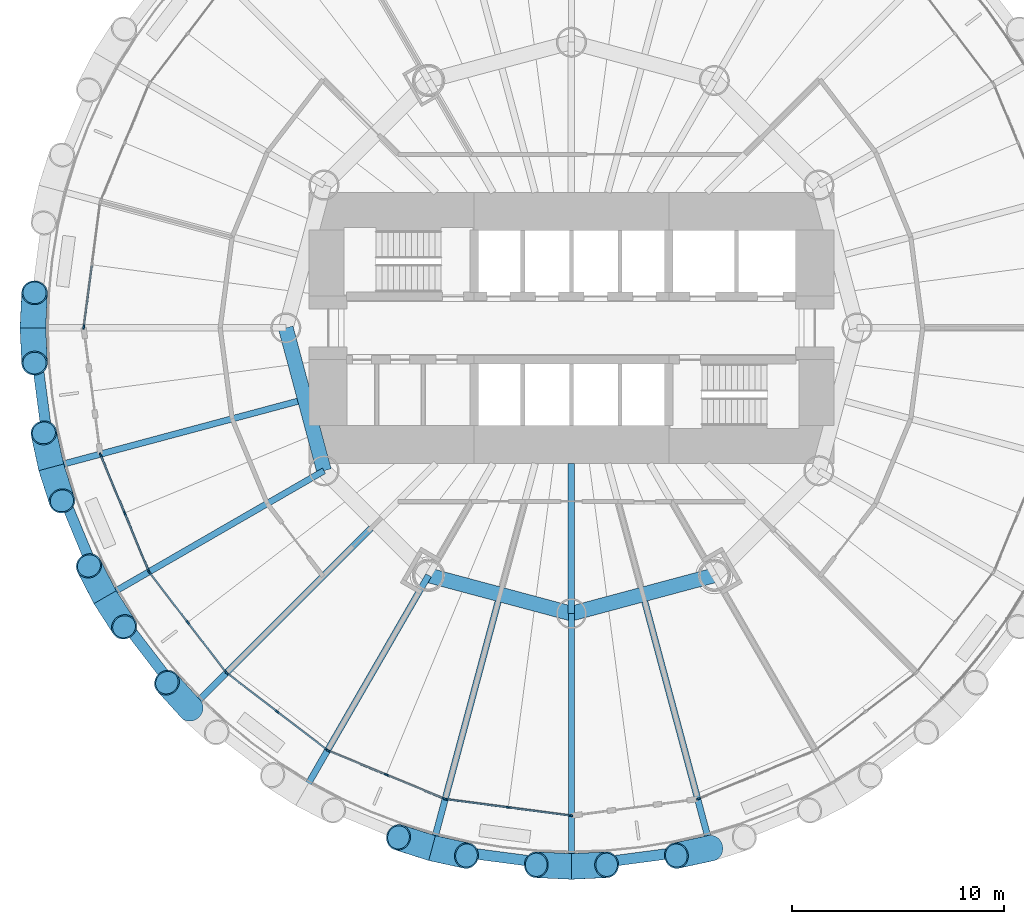
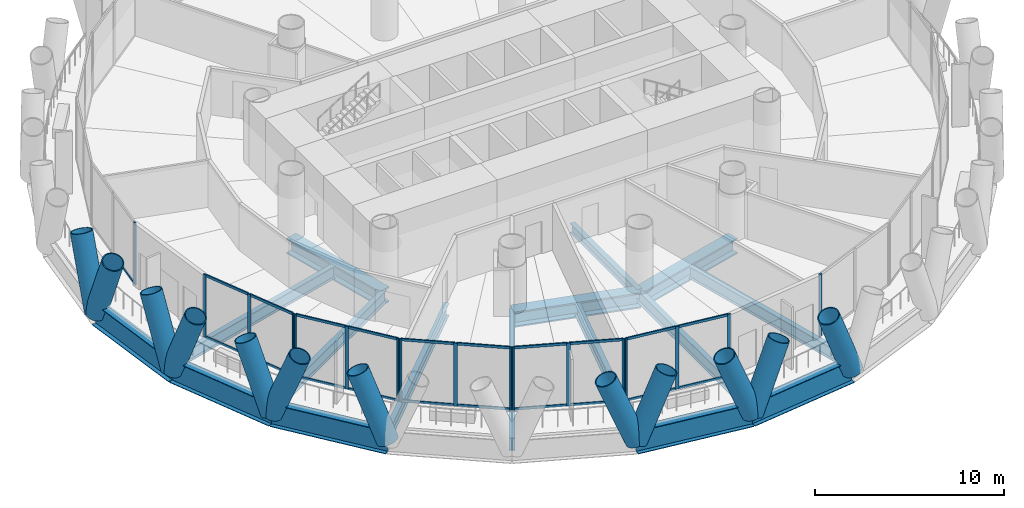
# One storey, part 2 of 14: 50 members, 16 beams, 7 elements without a shape of their own.
"""IFC4 building model written with IfcOpenShell, lengths in metres."""

from ifc_helpers import new_model, si_unit, direction, frame, origin, origin_2d, place, context, subcontext, project, spatial, rectangle, hollow_circle, i_section, extrude, material, material_profile, profile_set, type_object, element, aggregate, save


model = new_model("IFC4")

# Units and contexts
model_context = context("Model", 3, precision=1e-05, world=origin(), true_north=direction((0.0, 1.0)))
body_context = subcontext(model_context, "Body", "Model", "MODEL_VIEW")
ifc_project = project(units=[si_unit("LENGTHUNIT", "METRE"), si_unit("AREAUNIT", "SQUARE_METRE"), si_unit("VOLUMEUNIT", "CUBIC_METRE"), si_unit("PLANEANGLEUNIT", "RADIAN"), si_unit("MASSUNIT", "GRAM", prefix="KILO")], contexts=[model_context])

# Site, building, storey
site_placement = place(None, origin())
site = spatial("IfcSite", under=ifc_project, at=site_placement, CompositionType="ELEMENT")
building_placement = place(site_placement, origin())
building = spatial("IfcBuilding", under=site, at=building_placement, Name="Qaws Media Tower", CompositionType="ELEMENT")
storey_placement = place(building_placement, frame((0.0, 0.0, 93.199951171875)))
storey = spatial("IfcBuildingStorey", under=building, at=storey_placement, Name="L20", CompositionType="ELEMENT", Elevation=93.199951171875)

# Curtain wall, member
ifc_material_1 = material(Name="Aluminium and clear glass", Category="aluminium")
curtain_wall_type = type_object("IfcCurtainWallType", Name="Unitised curtain wall CW-A", PredefinedType="NOTDEFINED", material=ifc_material_1)
curtain_wall_1_placement = place(storey_placement, origin())
curtain_wall_1 = element("IfcCurtainWall", 1, at=curtain_wall_1_placement, inside=storey, type_object=curtain_wall_type, Name="CWA curtain wall L20-12", PredefinedType="NOTDEFINED")
ifc_material_2 = material(Name="Aluminium mullion", Category="aluminium")
ifc_material_profile_1 = material_profile(ifc_material_2, rectangle(XDim=0.080078125, YDim=0.199951171875, at=origin_2d()), Name="80x200")
ifc_profile_set_1 = profile_set([ifc_material_profile_1], Name="Aluminium mullion")
member_type_1 = type_object("IfcMemberType", Name="Curtain wall mullion 80x200", PredefinedType="MULLION", material=ifc_profile_set_1)
member_1_placement = place(storey_placement, frame((36.955322265625, 50.03955078125, 0.0), z_axis=(0.0, 0.0, 1.0), x_axis=(0.991444855038, -0.130526240342, 0.0)))
member_1 = element("IfcMember", 2, at=member_1_placement, type_object=member_type_1, Name="CWA mullion 3", PredefinedType="MULLION", context=body_context, shape_type="SweptSolid", body=[
    extrude(rectangle(XDim=0.080078125, YDim=0.199951171875, at=origin_2d()), origin(), (0.0, 0.0, 1.0), 4.0400390625),
])

# Curtain wall, members
curtain_wall_2_placement = place(storey_placement, origin())
curtain_wall_2 = element("IfcCurtainWall", 3, at=curtain_wall_2_placement, inside=storey, type_object=curtain_wall_type, Name="CWA curtain wall L20-14", PredefinedType="NOTDEFINED")
member_2_placement = place(storey_placement, frame((37.750732421875, 43.997314453125, 0.0), z_axis=(0.0, 0.0, 1.0), x_axis=(0.923879575665, 0.382683328183, 0.0)))
member_2 = element("IfcMember", 4, at=member_2_placement, type_object=member_type_1, Name="CWA mullion 1", PredefinedType="MULLION", context=body_context, shape_type="SweptSolid", body=[
    extrude(rectangle(XDim=0.080078125, YDim=0.199951171875, at=origin_2d()), origin(), (0.0, 0.0, 1.0), 4.0400390625),
])
member_3_placement = place(storey_placement, frame((38.88671875, 41.254638671875, 0.0), z_axis=(0.0, 0.0, 1.0), x_axis=(0.923879575665, 0.382683328183, 0.0)))
member_3 = element("IfcMember", 5, at=member_3_placement, type_object=member_type_1, Name="CWA mullion 2", PredefinedType="MULLION", context=body_context, shape_type="SweptSolid", body=[
    extrude(rectangle(XDim=0.080078125, YDim=0.199951171875, at=origin_2d()), origin(), (0.0, 0.0, 1.0), 4.0400390625),
])
member_4_placement = place(storey_placement, frame((40.022705078125, 38.511962890625, 0.0), z_axis=(0.0, 0.0, 1.0), x_axis=(0.923879575665, 0.382683328183, 0.0)))
member_4 = element("IfcMember", 6, at=member_4_placement, type_object=member_type_1, Name="CWA mullion 3", PredefinedType="MULLION", context=body_context, shape_type="SweptSolid", body=[
    extrude(rectangle(XDim=0.080078125, YDim=0.199951171875, at=origin_2d()), origin(), (0.0, 0.0, 1.0), 4.0400390625),
])

curtain_wall_3_placement = place(storey_placement, origin())
curtain_wall_3 = element("IfcCurtainWall", 7, at=curtain_wall_3_placement, inside=storey, type_object=curtain_wall_type, Name="CWA curtain wall L20-15", PredefinedType="NOTDEFINED")
member_5_placement = place(storey_placement, frame((40.0625, 38.443359375, 0.0), z_axis=(0.0, 0.0, 1.0), x_axis=(0.793353261295, 0.608761531958, 0.0)))
member_5 = element("IfcMember", 8, at=member_5_placement, type_object=member_type_1, Name="CWA mullion 1", PredefinedType="MULLION", context=body_context, shape_type="SweptSolid", body=[
    extrude(rectangle(XDim=0.080078125, YDim=0.199951171875, at=origin_2d()), origin(), (0.0, 0.0, 1.0), 4.0400390625),
])
member_6_placement = place(storey_placement, frame((41.86962890625, 36.088134765625, 0.0), z_axis=(0.0, 0.0, 1.0), x_axis=(0.793353261295, 0.608761531958, 0.0)))
member_6 = element("IfcMember", 9, at=member_6_placement, type_object=member_type_1, Name="CWA mullion 2", PredefinedType="MULLION", context=body_context, shape_type="SweptSolid", body=[
    extrude(rectangle(XDim=0.080078125, YDim=0.199951171875, at=origin_2d()), origin(), (0.0, 0.0, 1.0), 4.0400390625),
])
member_7_placement = place(storey_placement, frame((43.6767578125, 33.73291015625, 0.0), z_axis=(0.0, 0.0, 1.0), x_axis=(0.793353261295, 0.608761531958, 0.0)))
member_7 = element("IfcMember", 10, at=member_7_placement, type_object=member_type_1, Name="CWA mullion 3", PredefinedType="MULLION", context=body_context, shape_type="SweptSolid", body=[
    extrude(rectangle(XDim=0.080078125, YDim=0.199951171875, at=origin_2d()), origin(), (0.0, 0.0, 1.0), 4.0400390625),
])

curtain_wall_4_placement = place(storey_placement, origin())
curtain_wall_4 = element("IfcCurtainWall", 11, at=curtain_wall_4_placement, inside=storey, type_object=curtain_wall_type, Name="CWA curtain wall L20-16", PredefinedType="NOTDEFINED")
member_8_placement = place(storey_placement, frame((43.73291015625, 33.6767578125, 0.0), z_axis=(0.0, 0.0, 1.0), x_axis=(0.608761531958, 0.793353261295, 0.0)))
member_8 = element("IfcMember", 12, at=member_8_placement, type_object=member_type_1, Name="CWA mullion 1", PredefinedType="MULLION", context=body_context, shape_type="SweptSolid", body=[
    extrude(rectangle(XDim=0.080078125, YDim=0.199951171875, at=origin_2d()), origin(), (0.0, 0.0, 1.0), 4.0400390625),
])
member_9_placement = place(storey_placement, frame((46.088134765625, 31.86962890625, 0.0), z_axis=(0.0, 0.0, 1.0), x_axis=(0.608761531958, 0.793353261295, 0.0)))
member_9 = element("IfcMember", 13, at=member_9_placement, type_object=member_type_1, Name="CWA mullion 2", PredefinedType="MULLION", context=body_context, shape_type="SweptSolid", body=[
    extrude(rectangle(XDim=0.080078125, YDim=0.199951171875, at=origin_2d()), origin(), (0.0, 0.0, 1.0), 4.0400390625),
])
member_10_placement = place(storey_placement, frame((48.443359375, 30.0625, 0.0), z_axis=(0.0, 0.0, 1.0), x_axis=(0.608761531958, 0.793353261295, 0.0)))
member_10 = element("IfcMember", 14, at=member_10_placement, type_object=member_type_1, Name="CWA mullion 3", PredefinedType="MULLION", context=body_context, shape_type="SweptSolid", body=[
    extrude(rectangle(XDim=0.080078125, YDim=0.199951171875, at=origin_2d()), origin(), (0.0, 0.0, 1.0), 4.0400390625),
])

curtain_wall_5_placement = place(storey_placement, origin())
curtain_wall_5 = element("IfcCurtainWall", 15, at=curtain_wall_5_placement, inside=storey, type_object=curtain_wall_type, Name="CWA curtain wall L20-17", PredefinedType="NOTDEFINED")
member_11_placement = place(storey_placement, frame((48.511962890625, 30.022705078125, 0.0), z_axis=(0.0, 0.0, 1.0), x_axis=(0.382683328183, 0.923879575665, 0.0)))
member_11 = element("IfcMember", 16, at=member_11_placement, type_object=member_type_1, Name="CWA mullion 1", PredefinedType="MULLION", context=body_context, shape_type="SweptSolid", body=[
    extrude(rectangle(XDim=0.080078125, YDim=0.199951171875, at=origin_2d()), origin(), (0.0, 0.0, 1.0), 4.0400390625),
])
member_12_placement = place(storey_placement, frame((51.254638671875, 28.88671875, 0.0), z_axis=(0.0, 0.0, 1.0), x_axis=(0.382683328183, 0.923879575665, 0.0)))
member_12 = element("IfcMember", 17, at=member_12_placement, type_object=member_type_1, Name="CWA mullion 2", PredefinedType="MULLION", context=body_context, shape_type="SweptSolid", body=[
    extrude(rectangle(XDim=0.080078125, YDim=0.199951171875, at=origin_2d()), origin(), (0.0, 0.0, 1.0), 4.0400390625),
])
member_13_placement = place(storey_placement, frame((53.997314453125, 27.750732421875, 0.0), z_axis=(0.0, 0.0, 1.0), x_axis=(0.382683328183, 0.923879575665, 0.0)))
member_13 = element("IfcMember", 18, at=member_13_placement, type_object=member_type_1, Name="CWA mullion 3", PredefinedType="MULLION", context=body_context, shape_type="SweptSolid", body=[
    extrude(rectangle(XDim=0.080078125, YDim=0.199951171875, at=origin_2d()), origin(), (0.0, 0.0, 1.0), 4.0400390625),
])

curtain_wall_6_placement = place(storey_placement, origin())
curtain_wall_6 = element("IfcCurtainWall", 19, at=curtain_wall_6_placement, inside=storey, type_object=curtain_wall_type, Name="CWA curtain wall L20-18", PredefinedType="NOTDEFINED")
member_14_placement = place(storey_placement, frame((54.073974609375, 27.730224609375, 0.0), z_axis=(0.0, 0.0, 1.0), x_axis=(0.130526240342, 0.991444855038, 0.0)))
member_14 = element("IfcMember", 20, at=member_14_placement, type_object=member_type_1, Name="CWA mullion 1", PredefinedType="MULLION", context=body_context, shape_type="SweptSolid", body=[
    extrude(rectangle(XDim=0.080078125, YDim=0.199951171875, at=origin_2d()), origin(), (0.0, 0.0, 1.0), 4.0400390625),
])
member_15_placement = place(storey_placement, frame((57.01708984375, 27.3427734375, 0.0), z_axis=(0.0, 0.0, 1.0), x_axis=(0.130526240342, 0.991444855038, 0.0)))
member_15 = element("IfcMember", 21, at=member_15_placement, type_object=member_type_1, Name="CWA mullion 2", PredefinedType="MULLION", context=body_context, shape_type="SweptSolid", body=[
    extrude(rectangle(XDim=0.080078125, YDim=0.199951171875, at=origin_2d()), origin(), (0.0, 0.0, 1.0), 4.0400390625),
])
member_16_placement = place(storey_placement, frame((59.96044921875, 26.955322265625, 0.0), z_axis=(0.0, 0.0, 1.0), x_axis=(0.130526240342, 0.991444855038, 0.0)))
member_16 = element("IfcMember", 22, at=member_16_placement, type_object=member_type_1, Name="CWA mullion 3", PredefinedType="MULLION", context=body_context, shape_type="SweptSolid", body=[
    extrude(rectangle(XDim=0.080078125, YDim=0.199951171875, at=origin_2d()), origin(), (0.0, 0.0, 1.0), 4.0400390625),
])

# Curtain wall, member
curtain_wall_7_placement = place(storey_placement, origin())
curtain_wall_7 = element("IfcCurtainWall", 23, at=curtain_wall_7_placement, inside=storey, type_object=curtain_wall_type, Name="CWA curtain wall L20-20", PredefinedType="NOTDEFINED")
member_17_placement = place(storey_placement, frame((66.002685546875, 27.750732421875, 0.0), z_axis=(0.0, 0.0, 1.0), x_axis=(-0.382683328183, 0.923879575665, 0.0)))
member_17 = element("IfcMember", 24, at=member_17_placement, type_object=member_type_1, Name="CWA mullion 1", PredefinedType="MULLION", context=body_context, shape_type="SweptSolid", body=[
    extrude(rectangle(XDim=0.080078125, YDim=0.199951171875, at=origin_2d()), origin(), (0.0, 0.0, 1.0), 4.0400390625),
])
aggregate(curtain_wall_7, [member_17])

# Member
ifc_material_3 = material(Name="Aluminium transom", Category="aluminium")
ifc_material_profile_2 = material_profile(ifc_material_3, rectangle(XDim=0.080078125, YDim=0.159912109375, at=origin_2d()), Name="80x160")
ifc_profile_set_2 = profile_set([ifc_material_profile_2], Name="Aluminium transom")
member_type_2 = type_object("IfcMemberType", Name="Curtain wall transom 80x160", PredefinedType="USERDEFINED", material=ifc_profile_set_2)
member_18_placement = place(storey_placement, frame((37.33740234375, 52.943115234375, 0.0400390625), z_axis=(-0.130502613671, -0.991447965263, 0.0), x_axis=(0.991447965263, -0.130502613671, 0.0)))
member_18 = element("IfcMember", 25, at=member_18_placement, type_object=member_type_2, Name="CWA transom 2.1", ObjectType="TRANSOM", PredefinedType="USERDEFINED", context=body_context, shape_type="SweptSolid", body=[
    extrude(rectangle(XDim=0.080078125, YDim=0.159912109375, at=origin_2d()), origin(), (0.0, 0.0, 1.0), 2.888427734375),
])

aggregate(curtain_wall_1, [member_1, member_18])

member_19_placement = place(storey_placement, frame((37.76611328125, 43.960205078125, 0.0400390625), z_axis=(0.382627993016, -0.923902494293, 0.0), x_axis=(0.923902494293, 0.382627993016, 0.0)))
member_19 = element("IfcMember", 26, at=member_19_placement, type_object=member_type_2, Name="CWA transom 1.1", ObjectType="TRANSOM", PredefinedType="USERDEFINED", context=body_context, shape_type="SweptSolid", body=[
    extrude(rectangle(XDim=0.080078125, YDim=0.159912109375, at=origin_2d()), origin(), (0.0, 0.0, 1.0), 2.888427734375),
])

member_20_placement = place(storey_placement, frame((37.76611328125, 43.960205078125, 4.0), z_axis=(0.382627993016, -0.923902494293, 0.0), x_axis=(0.923902494293, 0.382627993016, 0.0)))
member_20 = element("IfcMember", 27, at=member_20_placement, type_object=member_type_2, Name="CWA transom 1.2", ObjectType="TRANSOM", PredefinedType="USERDEFINED", context=body_context, shape_type="SweptSolid", body=[
    extrude(rectangle(XDim=0.080078125, YDim=0.159912109375, at=origin_2d()), origin(), (0.0, 0.0, 1.0), 2.888427734375),
])

member_21_placement = place(storey_placement, frame((38.902099609375, 41.2177734375, 0.0400390625), z_axis=(0.382670255779, -0.923884990322, 0.0), x_axis=(0.923884990322, 0.382670255779, 0.0)))
member_21 = element("IfcMember", 28, at=member_21_placement, type_object=member_type_2, Name="CWA transom 2.1", ObjectType="TRANSOM", PredefinedType="USERDEFINED", context=body_context, shape_type="SweptSolid", body=[
    extrude(rectangle(XDim=0.080078125, YDim=0.159912109375, at=origin_2d()), origin(), (0.0, 0.0, 1.0), 2.888916015625),
])

member_22_placement = place(storey_placement, frame((38.902099609375, 41.2177734375, 4.0), z_axis=(0.382670255779, -0.923884990322, 0.0), x_axis=(0.923884990322, 0.382670255779, 0.0)))
member_22 = element("IfcMember", 29, at=member_22_placement, type_object=member_type_2, Name="CWA transom 2.2", ObjectType="TRANSOM", PredefinedType="USERDEFINED", context=body_context, shape_type="SweptSolid", body=[
    extrude(rectangle(XDim=0.080078125, YDim=0.159912109375, at=origin_2d()), origin(), (0.0, 0.0, 1.0), 2.888916015625),
])

aggregate(curtain_wall_2, [member_2, member_3, member_4, member_19, member_20, member_21, member_22])

member_23_placement = place(storey_placement, frame((40.0869140625, 38.41162109375, 0.0400390625), z_axis=(0.608713633127, -0.793390013074, 0.0), x_axis=(0.793390013074, 0.608713633127, 0.0)))
member_23 = element("IfcMember", 30, at=member_23_placement, type_object=member_type_2, Name="CWA transom 1.1", ObjectType="TRANSOM", PredefinedType="USERDEFINED", context=body_context, shape_type="SweptSolid", body=[
    extrude(rectangle(XDim=0.080078125, YDim=0.159912109375, at=origin_2d()), origin(), (0.0, 0.0, 1.0), 2.888671875),
])

member_24_placement = place(storey_placement, frame((40.0869140625, 38.41162109375, 4.0), z_axis=(0.608713633127, -0.793390013074, 0.0), x_axis=(0.793390013074, 0.608713633127, 0.0)))
member_24 = element("IfcMember", 31, at=member_24_placement, type_object=member_type_2, Name="CWA transom 1.2", ObjectType="TRANSOM", PredefinedType="USERDEFINED", context=body_context, shape_type="SweptSolid", body=[
    extrude(rectangle(XDim=0.080078125, YDim=0.159912109375, at=origin_2d()), origin(), (0.0, 0.0, 1.0), 2.888671875),
])

member_25_placement = place(storey_placement, frame((41.89404296875, 36.056396484375, 0.0400390625), z_axis=(0.608766831684, -0.793349194644, 0.0), x_axis=(0.793349194644, 0.608766831684, 0.0)))
member_25 = element("IfcMember", 32, at=member_25_placement, type_object=member_type_2, Name="CWA transom 2.1", ObjectType="TRANSOM", PredefinedType="USERDEFINED", context=body_context, shape_type="SweptSolid", body=[
    extrude(rectangle(XDim=0.080078125, YDim=0.159912109375, at=origin_2d()), origin(), (0.0, 0.0, 1.0), 2.888671875),
])

member_26_placement = place(storey_placement, frame((41.89404296875, 36.056396484375, 4.0), z_axis=(0.608766831684, -0.793349194644, 0.0), x_axis=(0.793349194644, 0.608766831684, 0.0)))
member_26 = element("IfcMember", 33, at=member_26_placement, type_object=member_type_2, Name="CWA transom 2.2", ObjectType="TRANSOM", PredefinedType="USERDEFINED", context=body_context, shape_type="SweptSolid", body=[
    extrude(rectangle(XDim=0.080078125, YDim=0.159912109375, at=origin_2d()), origin(), (0.0, 0.0, 1.0), 2.888671875),
])

aggregate(curtain_wall_3, [member_5, member_6, member_7, member_23, member_24, member_25, member_26])

member_27_placement = place(storey_placement, frame((43.7646484375, 33.652587890625, 0.0400390625), z_axis=(0.793349194644, -0.608766831684, 0.0), x_axis=(0.608766831684, 0.793349194644, 0.0)))
member_27 = element("IfcMember", 34, at=member_27_placement, type_object=member_type_2, Name="CWA transom 1.1", ObjectType="TRANSOM", PredefinedType="USERDEFINED", context=body_context, shape_type="SweptSolid", body=[
    extrude(rectangle(XDim=0.080078125, YDim=0.159912109375, at=origin_2d()), origin(), (0.0, 0.0, 1.0), 2.888671875),
])

member_28_placement = place(storey_placement, frame((43.7646484375, 33.652587890625, 4.0), z_axis=(0.793349194644, -0.608766831684, 0.0), x_axis=(0.608766831684, 0.793349194644, 0.0)))
member_28 = element("IfcMember", 35, at=member_28_placement, type_object=member_type_2, Name="CWA transom 1.2", ObjectType="TRANSOM", PredefinedType="USERDEFINED", context=body_context, shape_type="SweptSolid", body=[
    extrude(rectangle(XDim=0.080078125, YDim=0.159912109375, at=origin_2d()), origin(), (0.0, 0.0, 1.0), 2.888671875),
])

member_29_placement = place(storey_placement, frame((46.119873046875, 31.84521484375, 0.0400390625), z_axis=(0.793390013074, -0.608713633127, 0.0), x_axis=(0.608713633127, 0.793390013074, 0.0)))
member_29 = element("IfcMember", 36, at=member_29_placement, type_object=member_type_2, Name="CWA transom 2.1", ObjectType="TRANSOM", PredefinedType="USERDEFINED", context=body_context, shape_type="SweptSolid", body=[
    extrude(rectangle(XDim=0.080078125, YDim=0.159912109375, at=origin_2d()), origin(), (0.0, 0.0, 1.0), 2.888671875),
])

member_30_placement = place(storey_placement, frame((46.119873046875, 31.84521484375, 4.0), z_axis=(0.793390013074, -0.608713633127, 0.0), x_axis=(0.608713633127, 0.793390013074, 0.0)))
member_30 = element("IfcMember", 37, at=member_30_placement, type_object=member_type_2, Name="CWA transom 2.2", ObjectType="TRANSOM", PredefinedType="USERDEFINED", context=body_context, shape_type="SweptSolid", body=[
    extrude(rectangle(XDim=0.080078125, YDim=0.159912109375, at=origin_2d()), origin(), (0.0, 0.0, 1.0), 2.888671875),
])

aggregate(curtain_wall_4, [member_8, member_9, member_10, member_27, member_28, member_29, member_30])

member_31_placement = place(storey_placement, frame((48.548828125, 30.007568359375, 0.0400390625), z_axis=(0.923884990322, -0.382670255779, 0.0), x_axis=(0.382670255779, 0.923884990322, 0.0)))
member_31 = element("IfcMember", 38, at=member_31_placement, type_object=member_type_2, Name="CWA transom 1.1", ObjectType="TRANSOM", PredefinedType="USERDEFINED", context=body_context, shape_type="SweptSolid", body=[
    extrude(rectangle(XDim=0.080078125, YDim=0.159912109375, at=origin_2d()), origin(), (0.0, 0.0, 1.0), 2.888916015625),
])

member_32_placement = place(storey_placement, frame((48.548828125, 30.007568359375, 4.0), z_axis=(0.923884990322, -0.382670255779, 0.0), x_axis=(0.382670255779, 0.923884990322, 0.0)))
member_32 = element("IfcMember", 39, at=member_32_placement, type_object=member_type_2, Name="CWA transom 1.2", ObjectType="TRANSOM", PredefinedType="USERDEFINED", context=body_context, shape_type="SweptSolid", body=[
    extrude(rectangle(XDim=0.080078125, YDim=0.159912109375, at=origin_2d()), origin(), (0.0, 0.0, 1.0), 2.888916015625),
])

member_33_placement = place(storey_placement, frame((51.29150390625, 28.871337890625, 0.0400390625), z_axis=(0.923902494293, -0.382627993016, 0.0), x_axis=(0.382627993016, 0.923902494293, 0.0)))
member_33 = element("IfcMember", 40, at=member_33_placement, type_object=member_type_2, Name="CWA transom 2.1", ObjectType="TRANSOM", PredefinedType="USERDEFINED", context=body_context, shape_type="SweptSolid", body=[
    extrude(rectangle(XDim=0.080078125, YDim=0.159912109375, at=origin_2d()), origin(), (0.0, 0.0, 1.0), 2.888427734375),
])

member_34_placement = place(storey_placement, frame((51.29150390625, 28.871337890625, 4.0), z_axis=(0.923902494293, -0.382627993016, 0.0), x_axis=(0.382627993016, 0.923902494293, 0.0)))
member_34 = element("IfcMember", 41, at=member_34_placement, type_object=member_type_2, Name="CWA transom 2.2", ObjectType="TRANSOM", PredefinedType="USERDEFINED", context=body_context, shape_type="SweptSolid", body=[
    extrude(rectangle(XDim=0.080078125, YDim=0.159912109375, at=origin_2d()), origin(), (0.0, 0.0, 1.0), 2.888427734375),
])

aggregate(curtain_wall_5, [member_11, member_12, member_13, member_31, member_32, member_33, member_34])

member_35_placement = place(storey_placement, frame((54.113525390625, 27.724853515625, 0.0400390625), z_axis=(0.991449404578, -0.130491678516, 0.0), x_axis=(0.130491678516, 0.991449404578, 0.0)))
member_35 = element("IfcMember", 42, at=member_35_placement, type_object=member_type_2, Name="CWA transom 1.1", ObjectType="TRANSOM", PredefinedType="USERDEFINED", context=body_context, shape_type="SweptSolid", body=[
    extrude(rectangle(XDim=0.080078125, YDim=0.159912109375, at=origin_2d()), origin(), (0.0, 0.0, 1.0), 2.888671875),
])

member_36_placement = place(storey_placement, frame((54.113525390625, 27.724853515625, 4.0), z_axis=(0.991449404578, -0.130491678516, 0.0), x_axis=(0.130491678516, 0.991449404578, 0.0)))
member_36 = element("IfcMember", 43, at=member_36_placement, type_object=member_type_2, Name="CWA transom 1.2", ObjectType="TRANSOM", PredefinedType="USERDEFINED", context=body_context, shape_type="SweptSolid", body=[
    extrude(rectangle(XDim=0.080078125, YDim=0.159912109375, at=origin_2d()), origin(), (0.0, 0.0, 1.0), 2.888671875),
])

member_37_placement = place(storey_placement, frame((57.056884765625, 27.33740234375, 0.0400390625), z_axis=(0.991447965263, -0.130502613671, 0.0), x_axis=(0.130502613671, 0.991447965263, 0.0)))
member_37 = element("IfcMember", 44, at=member_37_placement, type_object=member_type_2, Name="CWA transom 2.1", ObjectType="TRANSOM", PredefinedType="USERDEFINED", context=body_context, shape_type="SweptSolid", body=[
    extrude(rectangle(XDim=0.080078125, YDim=0.159912109375, at=origin_2d()), origin(), (0.0, 0.0, 1.0), 2.888427734375),
])

member_38_placement = place(storey_placement, frame((57.056884765625, 27.33740234375, 4.0), z_axis=(0.991447965263, -0.130502613671, 0.0), x_axis=(0.130502613671, 0.991447965263, 0.0)))
member_38 = element("IfcMember", 45, at=member_38_placement, type_object=member_type_2, Name="CWA transom 2.2", ObjectType="TRANSOM", PredefinedType="USERDEFINED", context=body_context, shape_type="SweptSolid", body=[
    extrude(rectangle(XDim=0.080078125, YDim=0.159912109375, at=origin_2d()), origin(), (0.0, 0.0, 1.0), 2.888427734375),
])

aggregate(curtain_wall_6, [member_14, member_15, member_16, member_35, member_36, member_37, member_38])

# Members
ifc_material_4 = material(Name="Steel S460", Category="steel")
ifc_material_profile_3 = material_profile(ifc_material_4, hollow_circle(Radius=0.609619140625, WallThickness=0.06005859375, at=origin_2d()), Name="CHS 1219x60")
ifc_profile_set_3 = profile_set([ifc_material_profile_3], Name="Steel S460")
member_type_3 = type_object("IfcMemberType", Name="Diagrid member CHS 1219x60", PredefinedType="USERDEFINED", material=ifc_profile_set_3)
for number, where, z_axis, x_axis, name in (
    (46, (34.550048828125, 50.0, -0.909912109375), (0.017562730337, -0.368060788684, 0.929635846091), (0.998863487797, 0.047662697627, 0.0), "DG1 diagrid L20 A13"),
    (47, (34.550048828125, 50.0, -0.909912109375), (0.017562730337, 0.368060788684, 0.929635846091), (-0.998863487797, 0.047662697627, 0.0), "DG1 diagrid L20 B13"),
    (48, (35.417236328125, 43.4130859375, -0.909912109375), (0.11223876536, -0.350982561874, 0.929630948716), (0.952483725005, 0.304589483732, 0.0), "DG1 diagrid L20 A14"),
    (49, (35.417236328125, 43.4130859375, -0.909912109375), (-0.078302777838, 0.360063084013, 0.929636084989), (-0.977160478007, -0.212502706383, 0.0), "DG1 diagrid L20 B14"),
    (50, (37.959716796875, 37.27490234375, -0.909912109375), (0.199242327969, -0.309968536271, 0.929635413088), (0.84120706378, 0.540713117879, 0.0), "DG1 diagrid L20 A15"),
    (51, (37.959716796875, 37.27490234375, -0.909912109375), (-0.168815441114, 0.327579770816, 0.929619729026), (-0.888905804262, -0.458090025159, 0.0), "DG1 diagrid L20 B15"),
    (52, (42.004150390625, 32.004150390625, -0.909912109375), (-0.247824298479, 0.272682383368, 0.929638335529), (-0.740032971445, -0.672570591963, 0.0), "DG1 diagrid L20 B16"),
    (53, (53.4130859375, 25.417236328125, -0.909912109375), (0.360063084013, -0.078302777838, 0.929636084989), (0.212502706383, 0.977160478007, 0.0), "DG1 diagrid L20 A18"),
    (54, (53.4130859375, 25.417236328125, -0.909912109375), (-0.350982561874, 0.11223876536, 0.929630948716), (-0.304589483732, -0.952483725005, 0.0), "DG1 diagrid L20 B18"),
    (55, (60.0, 24.550048828125, -0.909912109375), (0.368060788684, 0.017562730337, 0.929635846091), (-0.047662697627, 0.998863487797, 0.0), "DG1 diagrid L20 A19"),
    (56, (60.0, 24.550048828125, -0.909912109375), (-0.368060788684, 0.017562730337, 0.929635846091), (-0.047662697627, -0.998863487797, 0.0), "DG1 diagrid L20 B19"),
    (57, (66.5869140625, 25.417236328125, -0.909912109375), (-0.360063084013, -0.078302777838, 0.929636084989), (0.212502706383, -0.977160478007, 0.0), "DG1 diagrid L20 B20"),
):
    element("IfcMember", number, at=place(storey_placement, frame(where, z_axis=z_axis, x_axis=x_axis)), inside=storey, type_object=member_type_3, Name=name, ObjectType="DIAGRID", PredefinedType="USERDEFINED", context=body_context, shape_type="SweptSolid", body=[
        extrude(hollow_circle(Radius=0.609619140625, WallThickness=0.06005859375, at=origin_2d()), origin(), (0.0, 0.0, 1.0), 4.517822265625),
    ])

# Beams
ifc_material_5 = material(Name="Steel S460", Category="steel")
ifc_material_profile_4 = material_profile(ifc_material_5, i_section(OverallWidth=0.5, OverallDepth=1.5, WebThickness=0.02001953125, FlangeThickness=0.0400390625, at=origin_2d()), Name="PG 1500x500")
ifc_profile_set_4 = profile_set([ifc_material_profile_4], Name="Steel S460")
beam_type_1 = type_object("IfcBeamType", Name="Edge ring beam PG 1500x500", PredefinedType="BEAM", material=ifc_profile_set_4)
for number, where, z_axis, x_axis, name in (
    (58, (34.550048828125, 50.0, -0.909912109375), (0.130526756258, -0.991444787117, 0.0), (0.991444787117, 0.130526756258, 0.0), "RB4 edge ring beam L20-13"),
    (59, (35.417236328125, 43.4130859375, -0.909912109375), (0.382678495952, -0.923881577225, 0.0), (0.923881577225, 0.382678495952, 0.0), "RB4 edge ring beam L20-14"),
):
    element("IfcBeam", number, at=place(storey_placement, frame(where, z_axis=z_axis, x_axis=x_axis)), inside=storey, type_object=beam_type_1, Name=name, PredefinedType="BEAM", context=body_context, shape_type="SweptSolid", body=[
        extrude(i_section(OverallWidth=0.5, OverallDepth=1.5, WebThickness=0.02001953125, FlangeThickness=0.0400390625, at=origin_2d()), origin(), (0.0, 0.0, 1.0), 6.643798828125),
    ])
beam_1_placement = place(storey_placement, frame((37.959716796875, 37.27490234375, -0.909912109375), z_axis=(0.608765538102, -0.793350187256, 0.0), x_axis=(0.793350187256, 0.608765538102, 0.0)))
element("IfcBeam", 60, at=beam_1_placement, inside=storey, type_object=beam_type_1, Name="RB4 edge ring beam L20-15", PredefinedType="BEAM", context=body_context, shape_type="SweptSolid", body=[
    extrude(i_section(OverallWidth=0.5, OverallDepth=1.5, WebThickness=0.02001953125, FlangeThickness=0.0400390625, at=origin_2d()), origin(), (0.0, 0.0, 1.0), 6.6435546875),
])
for number, where, z_axis, x_axis, name in (
    (61, (53.4130859375, 25.417236328125, -0.909912109375), (0.991444787117, -0.130526756258, 0.0), (0.130526756258, 0.991444787117, 0.0), "RB4 edge ring beam L20-18"),
    (62, (60.0, 24.550048828125, -0.909912109375), (0.991444787117, 0.130526756258, 0.0), (-0.130526756258, 0.991444787117, 0.0), "RB4 edge ring beam L20-19"),
):
    element("IfcBeam", number, at=place(storey_placement, frame(where, z_axis=z_axis, x_axis=x_axis)), inside=storey, type_object=beam_type_1, Name=name, PredefinedType="BEAM", context=body_context, shape_type="SweptSolid", body=[
        extrude(i_section(OverallWidth=0.5, OverallDepth=1.5, WebThickness=0.02001953125, FlangeThickness=0.0400390625, at=origin_2d()), origin(), (0.0, 0.0, 1.0), 6.643798828125),
    ])
ifc_material_6 = material(Name="Steel S460", Category="steel")
ifc_material_profile_5 = material_profile(ifc_material_6, i_section(OverallWidth=0.699951171875, OverallDepth=1.0, WebThickness=0.034912109375, FlangeThickness=0.090087890625, at=origin_2d()), Name="PG 1000x700")
ifc_profile_set_5 = profile_set([ifc_material_profile_5], Name="Steel S460")
beam_type_2 = type_object("IfcBeamType", Name="Inner ring girder PG 1000x700", PredefinedType="BEAM", material=ifc_profile_set_5)
for number, where, z_axis, x_axis, name in (
    (63, (46.5, 50.0, -0.659912109375), (0.258810593767, -0.965928090778, 0.0), (0.965928090778, 0.258810593767, 0.0), "B3 inner ring beam L20 I07-I08"),
    (64, (53.25, 38.30859375, -0.659912109375), (0.965928090778, -0.258810593767, 0.0), (0.258810593767, 0.965928090778, 0.0), "B3 inner ring beam L20 I09-I10"),
    (65, (60.0, 36.5, -0.659912109375), (0.965928090778, 0.258810593767, 0.0), (-0.258810593767, 0.965928090778, 0.0), "B3 inner ring beam L20 I10-I11"),
):
    element("IfcBeam", number, at=place(storey_placement, frame(where, z_axis=z_axis, x_axis=x_axis)), inside=storey, type_object=beam_type_2, Name=name, PredefinedType="BEAM", context=body_context, shape_type="SweptSolid", body=[
        extrude(i_section(OverallWidth=0.699951171875, OverallDepth=1.0, WebThickness=0.034912109375, FlangeThickness=0.090087890625, at=origin_2d()), origin(), (0.0, 0.0, 1.0), 6.988037109375),
    ])
ifc_material_7 = material(Name="Steel S355", Category="steel")
ifc_material_profile_6 = material_profile(ifc_material_7, i_section(OverallWidth=0.304931640625, OverallDepth=0.6201171875, WebThickness=0.02099609375, FlangeThickness=0.0400390625, FilletRadius=0.027099609375, at=origin_2d()), Name="HE 600 M")
ifc_profile_set_6 = profile_set([ifc_material_profile_6], Name="Steel S355")
beam_type_3 = type_object("IfcBeamType", Name="Radial beam HE 600 M, core side", PredefinedType="BEAM", material=ifc_profile_set_6)
beam_2_placement = place(storey_placement, frame((60.0, 43.60009765625, -0.469970703125), z_axis=(0.0, -1.0, 0.0), x_axis=(1.0, 0.0, 0.0)))
element("IfcBeam", 66, at=beam_2_placement, inside=storey, type_object=beam_type_3, Name="B2 radial beam L20 19", PredefinedType="BEAM", context=body_context, shape_type="SweptSolid", body=[
    extrude(i_section(OverallWidth=0.304931640625, OverallDepth=0.6201171875, WebThickness=0.02099609375, FlangeThickness=0.0400390625, FilletRadius=0.027099609375, at=origin_2d()), origin(), (0.0, 0.0, 1.0), 7.10009765625),
])
ifc_material_8 = material(Name="Steel S355", Category="steel")
ifc_material_profile_7 = material_profile(ifc_material_8, i_section(OverallWidth=0.300048828125, OverallDepth=0.800048828125, WebThickness=0.017578125, FlangeThickness=0.032958984375, FilletRadius=0.030029296875, at=origin_2d()), Name="HE 800 B")
ifc_profile_set_7 = profile_set([ifc_material_profile_7], Name="Steel S355")
beam_type_4 = type_object("IfcBeamType", Name="Radial beam HE 800 B", PredefinedType="BEAM", material=ifc_profile_set_7)
beam_3_placement = place(storey_placement, frame((47.066162109375, 46.534423828125, -0.56005859375), z_axis=(-0.965925460719, -0.258820409425, 0.0), x_axis=(0.258820409425, -0.965925460719, 0.0)))
element("IfcBeam", 67, at=beam_3_placement, inside=storey, type_object=beam_type_4, Name="B1 radial beam L20 14", PredefinedType="BEAM", context=body_context, shape_type="SweptSolid", body=[
    extrude(i_section(OverallWidth=0.300048828125, OverallDepth=0.800048828125, WebThickness=0.017578125, FlangeThickness=0.032958984375, FilletRadius=0.030029296875, at=origin_2d()), origin(), (0.0, 0.0, 1.0), 12.059814453125),
])
beam_4_placement = place(storey_placement, frame((48.30859375, 43.25, -0.56005859375), z_axis=(-0.866019216078, -0.500010717269, 0.0), x_axis=(0.500010717269, -0.866019216078, 0.0)))
element("IfcBeam", 68, at=beam_4_placement, inside=storey, type_object=beam_type_4, Name="B1 radial beam L20 15", PredefinedType="BEAM", context=body_context, shape_type="SweptSolid", body=[
    extrude(i_section(OverallWidth=0.300048828125, OverallDepth=0.800048828125, WebThickness=0.017578125, FlangeThickness=0.032958984375, FilletRadius=0.030029296875, at=origin_2d()), origin(), (0.0, 0.0, 1.0), 11.949951171875),
])
beam_5_placement = place(storey_placement, frame((50.53173828125, 40.53173828125, -0.56005859375), z_axis=(-0.707106781187, -0.707106781187, 0.0), x_axis=(0.707106781187, -0.707106781187, 0.0)))
element("IfcBeam", 69, at=beam_5_placement, inside=storey, type_object=beam_type_4, Name="B1 radial beam L20 16", PredefinedType="BEAM", context=body_context, shape_type="SweptSolid", body=[
    extrude(i_section(OverallWidth=0.300048828125, OverallDepth=0.800048828125, WebThickness=0.017578125, FlangeThickness=0.032958984375, FilletRadius=0.030029296875, at=origin_2d()), origin(), (0.0, 0.0, 1.0), 12.059814453125),
])
beam_6_placement = place(storey_placement, frame((53.25, 38.30859375, -0.56005859375), z_axis=(-0.500010717269, -0.866019216078, 0.0), x_axis=(0.866019216078, -0.500010717269, 0.0)))
element("IfcBeam", 70, at=beam_6_placement, inside=storey, type_object=beam_type_4, Name="B1 radial beam L20 17", PredefinedType="BEAM", context=body_context, shape_type="SweptSolid", body=[
    extrude(i_section(OverallWidth=0.300048828125, OverallDepth=0.800048828125, WebThickness=0.017578125, FlangeThickness=0.032958984375, FilletRadius=0.030029296875, at=origin_2d()), origin(), (0.0, 0.0, 1.0), 11.949951171875),
])
beam_7_placement = place(storey_placement, frame((56.534423828125, 37.066162109375, -0.56005859375), z_axis=(-0.258820409425, -0.965925460719, 0.0), x_axis=(0.965925460719, -0.258820409425, 0.0)))
element("IfcBeam", 71, at=beam_7_placement, inside=storey, type_object=beam_type_4, Name="B1 radial beam L20 18", PredefinedType="BEAM", context=body_context, shape_type="SweptSolid", body=[
    extrude(i_section(OverallWidth=0.300048828125, OverallDepth=0.800048828125, WebThickness=0.017578125, FlangeThickness=0.032958984375, FilletRadius=0.030029296875, at=origin_2d()), origin(), (0.0, 0.0, 1.0), 12.059814453125),
])
beam_8_placement = place(storey_placement, frame((60.0, 36.5, -0.56005859375), z_axis=(0.0, -1.0, 0.0), x_axis=(1.0, 0.0, 0.0)))
element("IfcBeam", 72, at=beam_8_placement, inside=storey, type_object=beam_type_4, Name="B1 radial beam L20 19", PredefinedType="BEAM", context=body_context, shape_type="SweptSolid", body=[
    extrude(i_section(OverallWidth=0.300048828125, OverallDepth=0.800048828125, WebThickness=0.017578125, FlangeThickness=0.032958984375, FilletRadius=0.030029296875, at=origin_2d()), origin(), (0.0, 0.0, 1.0), 11.949951171875),
])
beam_9_placement = place(storey_placement, frame((63.465576171875, 37.066162109375, -0.56005859375), z_axis=(0.258820409425, -0.965925460719, 0.0), x_axis=(0.965925460719, 0.258820409425, 0.0)))
element("IfcBeam", 73, at=beam_9_placement, inside=storey, type_object=beam_type_4, Name="B1 radial beam L20 20", PredefinedType="BEAM", context=body_context, shape_type="SweptSolid", body=[
    extrude(i_section(OverallWidth=0.300048828125, OverallDepth=0.800048828125, WebThickness=0.017578125, FlangeThickness=0.032958984375, FilletRadius=0.030029296875, at=origin_2d()), origin(), (0.0, 0.0, 1.0), 12.059814453125),
])

save(model, "model.ifc")
